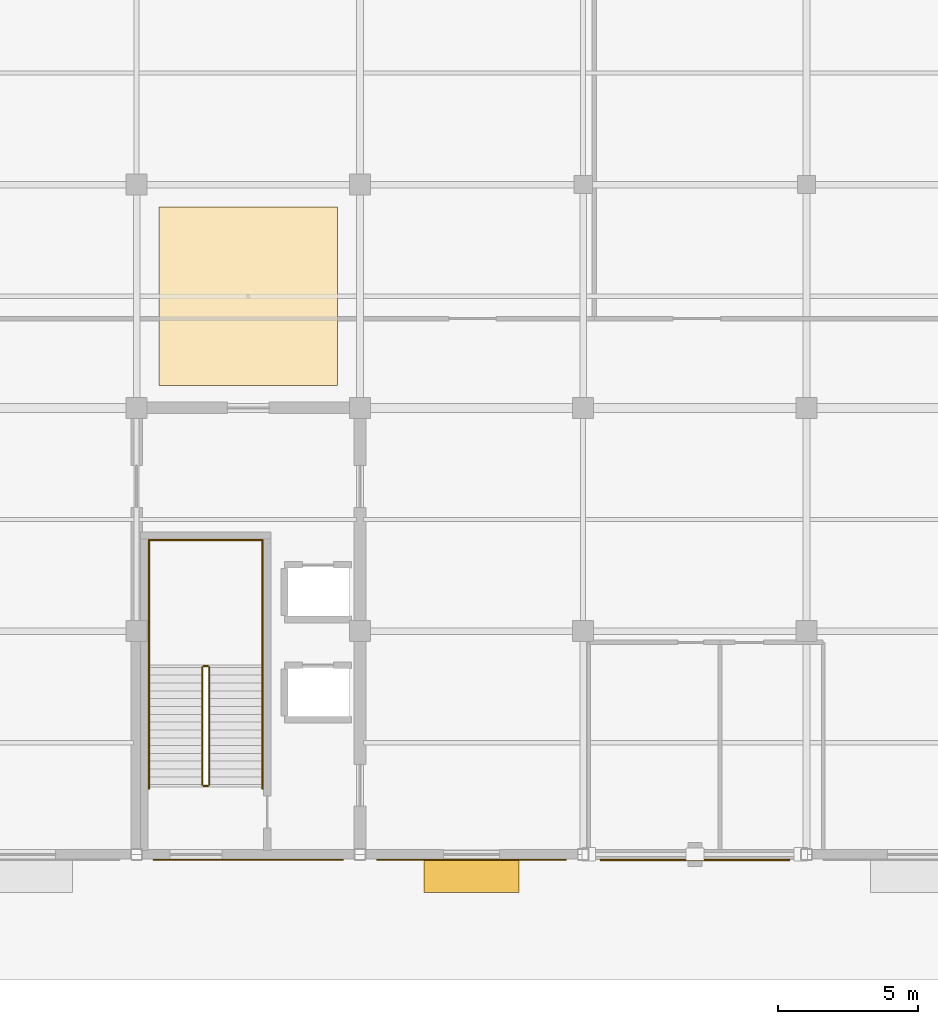
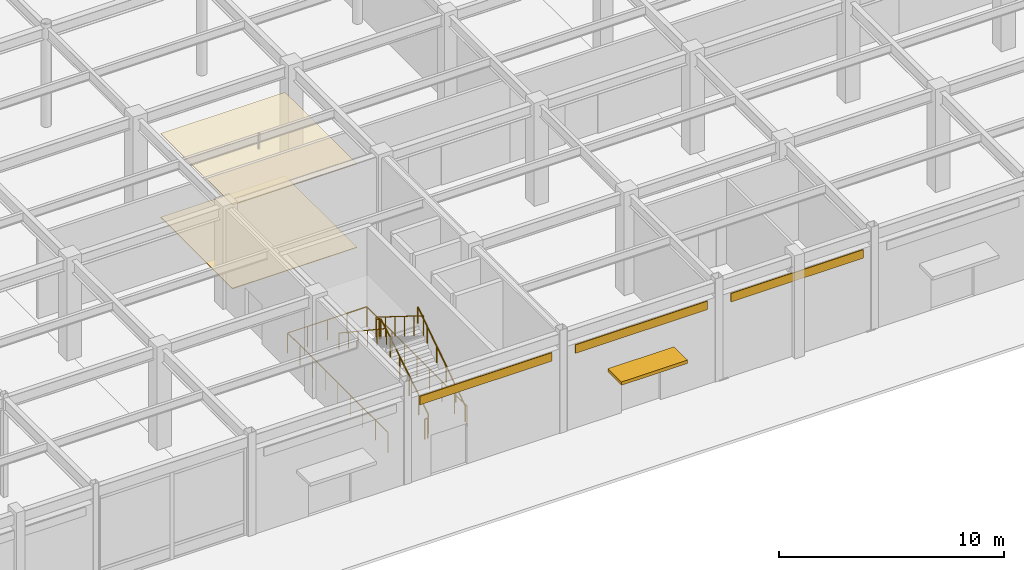
# One storey, part 119 of 128: 9 railings, 5 coverings, 1 shading device.
"""IFC4 building model written with IfcOpenShell, lengths in metres."""

from ifc_helpers import new_model, si_unit, direction, frame, origin, origin_2d, place, context, subcontext, project, spatial, polyline, rectangle, circle, outline, extrude, material, layer, layer_set, type_object, element, save


model = new_model("IFC4")

# Units and contexts
model_context = context("Model", 3, precision=1e-05, world=origin(), true_north=direction((0.0, 1.0)))
body_context = subcontext(model_context, "Body", "Model", "MODEL_VIEW")
ifc_project = project(units=[si_unit("LENGTHUNIT", "METRE"), si_unit("AREAUNIT", "SQUARE_METRE"), si_unit("VOLUMEUNIT", "CUBIC_METRE"), si_unit("PLANEANGLEUNIT", "RADIAN"), si_unit("MASSUNIT", "GRAM", prefix="KILO")], contexts=[model_context])

# Site, building, storey
site_placement = place(None, origin())
site = spatial("IfcSite", under=ifc_project, at=site_placement, CompositionType="ELEMENT")
building_placement = place(site_placement, origin())
building = spatial("IfcBuilding", under=site, at=building_placement, Name="Solmirada Galleria", CompositionType="ELEMENT")
storey_placement = place(building_placement, origin())
storey = spatial("IfcBuildingStorey", under=building, at=storey_placement, Name="L00", CompositionType="ELEMENT", Elevation=0.0)

# Coverings
ifc_material_1 = material(Name="Perforated acoustic mineral-fibre ceiling")
ifc_layer_1 = layer(ifc_material_1, 0.02490234375)
ifc_layer_set_1 = layer_set([ifc_layer_1], Name="Perforated acoustic mineral-fibre ceiling")
covering_type_1 = type_object("IfcCoveringType", Name="COV-CEIL-ACOUST", PredefinedType="CEILING", material=ifc_layer_set_1)
covering_1_placement = place(storey_placement, frame((0.0, 0.0, 4.550048828125)))
element("IfcCovering", 1, at=covering_1_placement, inside=storey, type_object=covering_type_1, Name="Acoustic ceiling panel L00-2", PredefinedType="CEILING", context=body_context, shape_type="SweptSolid", body=[
    extrude(outline(polyline([(88.800048828125, 16.800048828125), (95.199951171875, 16.800048828125), (95.199951171875, 23.199951171875), (88.800048828125, 23.199951171875), (88.800048828125, 16.800048828125)])), origin(), (0.0, 0.0, 1.0), 0.02490234375),
])
ifc_material_2 = material(Name="Limestone cladding panels", Category="masonry")
ifc_layer_2 = layer(ifc_material_2, 0.044921875)
ifc_layer_set_2 = layer_set([ifc_layer_2], Name="Limestone cladding panels")
covering_type_2 = type_object("IfcCoveringType", Name="COV-CLAD-LIME", PredefinedType="CLADDING", material=ifc_layer_set_2)
for number, where, z_axis, x_axis, name in (
    (2, (108.0, -0.202392578125, 4.090087890625), (0.0, 0.0, 1.0), (-1.0, 0.0, 0.0), "Postmodern facade cladding L00-040"),
    (3, (100.0, -0.1923828125, 4.090087890625), (0.0, 0.0, 1.0), (-1.0, 0.0, 0.0), "Postmodern facade cladding L00-041"),
    (4, (92.0, -0.1923828125, 4.090087890625), (0.0, 0.0, 1.0), (-1.0, 0.0, 0.0), "Postmodern facade cladding L00-042"),
):
    element("IfcCovering", number, at=place(storey_placement, frame(where, z_axis=z_axis, x_axis=x_axis)), inside=storey, type_object=covering_type_2, Name=name, PredefinedType="CLADDING", context=body_context, shape_type="SweptSolid", body=[
        extrude(rectangle(XDim=6.7939453125, YDim=0.044921875, at=origin_2d()), origin(), (0.0, 0.0, 1.0), 0.4599609375),
    ])
ifc_material_3 = material(Name="Polished terrazzo and porcelain tile flooring")
ifc_layer_3 = layer(ifc_material_3, 0.030029296875)
ifc_layer_set_3 = layer_set([ifc_layer_3], Name="Polished terrazzo and porcelain tile flooring")
covering_type_3 = type_object("IfcCoveringType", Name="COV-FLOOR-TERRAZ", PredefinedType="FLOORING", material=ifc_layer_set_3)
covering_2_placement = place(storey_placement, origin())
element("IfcCovering", 5, at=covering_2_placement, inside=storey, type_object=covering_type_3, Name="Terrazzo floor finish L00-2", PredefinedType="FLOORING", context=body_context, shape_type="SweptSolid", body=[
    extrude(outline(polyline([(88.800048828125, 16.800048828125), (95.199951171875, 16.800048828125), (95.199951171875, 23.199951171875), (88.800048828125, 23.199951171875), (88.800048828125, 16.800048828125)])), origin(), (0.0, 0.0, 1.0), 0.030029296875),
])

# Railings
ifc_material_4 = material(Name="Painted steel tubular railing", Category="steel")
railing_type_1 = type_object("IfcRailingType", Name="RAIL-STAIR-GUARD", PredefinedType="GUARDRAIL", material=ifc_material_4)
railing_1_placement = place(storey_placement, frame((90.60009765625, 2.5, 0.175048828125)))
element("IfcRailing", 6, at=railing_1_placement, inside=storey, type_object=railing_type_1, Name="L00 ST2 stair guard 1", PredefinedType="GUARDRAIL", context=body_context, shape_type="SweptSolid", body=[
    extrude(circle(Radius=0.02392578125, at=origin_2d()), frame((0.0, 0.0, 1.076171875), z_axis=(0.0, 0.847995534698, 0.530003370869), x_axis=(-1.0, 0.0, 0.0)), (0.0, 0.0, 1.0), 4.952880859375),
    extrude(circle(Radius=0.02099609375, at=origin_2d()), origin(), (0.0, 0.0, 1.0), 1.048095703125),
    extrude(circle(Radius=0.02099609375, at=origin_2d()), frame((0.0, 0.840087890625, 0.52490234375)), (0.0, 0.0, 1.0), 1.048095703125),
    extrude(circle(Radius=0.02099609375, at=origin_2d()), frame((0.0, 1.679931640625, 1.050048828125)), (0.0, 0.0, 1.0), 1.048095703125),
    extrude(circle(Radius=0.02099609375, at=origin_2d()), frame((0.0, 2.52001953125, 1.574951171875)), (0.0, 0.0, 1.0), 1.048095703125),
    extrude(circle(Radius=0.02099609375, at=origin_2d()), frame((0.0, 3.35986328125, 2.10009765625)), (0.0, 0.0, 1.0), 1.048095703125),
    extrude(circle(Radius=0.02099609375, at=origin_2d()), frame((0.0, 4.199951171875, 2.625)), (0.0, 0.0, 1.0), 1.048095703125),
])
railing_2_placement = place(storey_placement, frame((90.550048828125, 6.75, 2.800048828125)))
element("IfcRailing", 7, at=railing_2_placement, inside=storey, type_object=railing_type_1, Name="L00 ST2 stair guard 2", PredefinedType="GUARDRAIL", context=body_context, shape_type="SweptSolid", body=[
    extrude(circle(Radius=0.02392578125, at=origin_2d()), frame((0.0, 0.0, 1.076171875), z_axis=(-1.0, 0.0, 0.0), x_axis=(0.0, -1.0, 0.0)), (0.0, 0.0, 1.0), 0.150146484375),
    extrude(circle(Radius=0.02099609375, at=origin_2d()), origin(), (0.0, 0.0, 1.0), 1.048095703125),
    extrude(circle(Radius=0.02099609375, at=origin_2d()), frame((-0.150146484375, 0.0, 0.0)), (0.0, 0.0, 1.0), 1.048095703125),
])
railing_3_placement = place(storey_placement, frame((90.35009765625, 6.699951171875, 2.97509765625)))
element("IfcRailing", 8, at=railing_3_placement, inside=storey, type_object=railing_type_1, Name="L00 ST2 stair guard 3", PredefinedType="GUARDRAIL", context=body_context, shape_type="SweptSolid", body=[
    extrude(circle(Radius=0.02392578125, at=origin_2d()), frame((0.0, 0.0, 1.076171875), z_axis=(0.0, -0.847995534698, 0.530003370869), x_axis=(1.0, 0.0, 0.0)), (0.0, 0.0, 1.0), 4.952880859375),
    extrude(circle(Radius=0.02099609375, at=origin_2d()), origin(), (0.0, 0.0, 1.0), 1.048095703125),
    extrude(circle(Radius=0.02099609375, at=origin_2d()), frame((0.0, -0.840087890625, 0.52490234375)), (0.0, 0.0, 1.0), 1.048095703125),
    extrude(circle(Radius=0.02099609375, at=origin_2d()), frame((0.0, -1.679931640625, 1.050048828125)), (0.0, 0.0, 1.0), 1.048095703125),
    extrude(circle(Radius=0.02099609375, at=origin_2d()), frame((0.0, -2.52001953125, 1.574951171875)), (0.0, 0.0, 1.0), 1.048095703125),
    extrude(circle(Radius=0.02099609375, at=origin_2d()), frame((0.0, -3.35986328125, 2.10009765625)), (0.0, 0.0, 1.0), 1.048095703125),
    extrude(circle(Radius=0.02099609375, at=origin_2d()), frame((0.0, -4.199951171875, 2.625)), (0.0, 0.0, 1.0), 1.048095703125),
])
railing_4_placement = place(storey_placement, frame((90.550048828125, 2.449951171875, 0.0)))
element("IfcRailing", 9, at=railing_4_placement, inside=storey, type_object=railing_type_1, Name="L00 ST2 stair guard 4", PredefinedType="GUARDRAIL", context=body_context, shape_type="SweptSolid", body=[
    extrude(circle(Radius=0.02392578125, at=origin_2d()), frame((0.0, 0.0, 1.076171875), z_axis=(-1.0, 0.0, 0.0), x_axis=(0.0, -1.0, 0.0)), (0.0, 0.0, 1.0), 0.150146484375),
    extrude(circle(Radius=0.02099609375, at=origin_2d()), origin(), (0.0, 0.0, 1.0), 1.048095703125),
    extrude(circle(Radius=0.02099609375, at=origin_2d()), frame((-0.150146484375, 0.0, 0.0)), (0.0, 0.0, 1.0), 1.048095703125),
])
railing_5_placement = place(storey_placement, frame((88.43994140625, 2.35009765625, 0.0)))
element("IfcRailing", 10, at=railing_5_placement, inside=storey, type_object=railing_type_1, Name="Stair ST2 well edge guard L00-1", PredefinedType="GUARDRAIL", context=body_context, shape_type="SweptSolid", body=[
    extrude(circle(Radius=0.02392578125, at=origin_2d()), frame((0.0, 0.0, 1.09619140625), z_axis=(0.0, 1.0, 0.0), x_axis=(-1.0, 0.0, 0.0)), (0.0, 0.0, 1.0), 8.909912109375),
    extrude(circle(Radius=0.02099609375, at=origin_2d()), origin(), (0.0, 0.0, 1.0), 1.068115234375),
    extrude(circle(Radius=0.02099609375, at=origin_2d()), frame((0.0, 1.11376953125, 0.0)), (0.0, 0.0, 1.0), 1.068115234375),
    extrude(circle(Radius=0.02099609375, at=origin_2d()), frame((0.0, 2.2275390625, 0.0)), (0.0, 0.0, 1.0), 1.068115234375),
    extrude(circle(Radius=0.02099609375, at=origin_2d()), frame((0.0, 3.34130859375, 0.0)), (0.0, 0.0, 1.0), 1.068115234375),
    extrude(circle(Radius=0.02099609375, at=origin_2d()), frame((0.0, 4.455078125, 0.0)), (0.0, 0.0, 1.0), 1.068115234375),
    extrude(circle(Radius=0.02099609375, at=origin_2d()), frame((0.0, 5.568603515625, 0.0)), (0.0, 0.0, 1.0), 1.068115234375),
    extrude(circle(Radius=0.02099609375, at=origin_2d()), frame((0.0, 6.682373046875, 0.0)), (0.0, 0.0, 1.0), 1.068115234375),
    extrude(circle(Radius=0.02099609375, at=origin_2d()), frame((0.0, 7.796142578125, 0.0)), (0.0, 0.0, 1.0), 1.068115234375),
    extrude(circle(Radius=0.02099609375, at=origin_2d()), frame((0.0, 8.909912109375, 0.0)), (0.0, 0.0, 1.0), 1.068115234375),
])
railing_6_placement = place(storey_placement, frame((88.43994140625, 11.260009765625, 0.0)))
element("IfcRailing", 11, at=railing_6_placement, inside=storey, type_object=railing_type_1, Name="Stair ST2 well edge guard L00-2", PredefinedType="GUARDRAIL", context=body_context, shape_type="SweptSolid", body=[
    extrude(circle(Radius=0.02392578125, at=origin_2d()), frame((0.0, 0.0, 1.09619140625), z_axis=(1.0, 0.0, 0.0), x_axis=(0.0, 1.0, 0.0)), (0.0, 0.0, 1.0), 4.070068359375),
    extrude(circle(Radius=0.02099609375, at=origin_2d()), origin(), (0.0, 0.0, 1.0), 1.068115234375),
    extrude(circle(Radius=0.02099609375, at=origin_2d()), frame((1.017578125, 0.0, 0.0)), (0.0, 0.0, 1.0), 1.068115234375),
    extrude(circle(Radius=0.02099609375, at=origin_2d()), frame((2.03515625, 0.0, 0.0)), (0.0, 0.0, 1.0), 1.068115234375),
    extrude(circle(Radius=0.02099609375, at=origin_2d()), frame((3.052490234375, 0.0, 0.0)), (0.0, 0.0, 1.0), 1.068115234375),
    extrude(circle(Radius=0.02099609375, at=origin_2d()), frame((4.070068359375, 0.0, 0.0)), (0.0, 0.0, 1.0), 1.068115234375),
])
railing_7_placement = place(storey_placement, frame((92.510009765625, 11.260009765625, 0.0)))
element("IfcRailing", 12, at=railing_7_placement, inside=storey, type_object=railing_type_1, Name="Stair ST2 well edge guard L00-3", PredefinedType="GUARDRAIL", context=body_context, shape_type="SweptSolid", body=[
    extrude(circle(Radius=0.02392578125, at=origin_2d()), frame((0.0, 0.0, 1.09619140625), z_axis=(0.0, -1.0, 0.0), x_axis=(1.0, 0.0, 0.0)), (0.0, 0.0, 1.0), 8.909912109375),
    extrude(circle(Radius=0.02099609375, at=origin_2d()), origin(), (0.0, 0.0, 1.0), 1.068115234375),
    extrude(circle(Radius=0.02099609375, at=origin_2d()), frame((0.0, -1.11376953125, 0.0)), (0.0, 0.0, 1.0), 1.068115234375),
    extrude(circle(Radius=0.02099609375, at=origin_2d()), frame((0.0, -2.2275390625, 0.0)), (0.0, 0.0, 1.0), 1.068115234375),
    extrude(circle(Radius=0.02099609375, at=origin_2d()), frame((0.0, -3.34130859375, 0.0)), (0.0, 0.0, 1.0), 1.068115234375),
    extrude(circle(Radius=0.02099609375, at=origin_2d()), frame((0.0, -4.455078125, 0.0)), (0.0, 0.0, 1.0), 1.068115234375),
    extrude(circle(Radius=0.02099609375, at=origin_2d()), frame((0.0, -5.568603515625, 0.0)), (0.0, 0.0, 1.0), 1.068115234375),
    extrude(circle(Radius=0.02099609375, at=origin_2d()), frame((0.0, -6.682373046875, 0.0)), (0.0, 0.0, 1.0), 1.068115234375),
    extrude(circle(Radius=0.02099609375, at=origin_2d()), frame((0.0, -7.796142578125, 0.0)), (0.0, 0.0, 1.0), 1.068115234375),
    extrude(circle(Radius=0.02099609375, at=origin_2d()), frame((0.0, -8.909912109375, 0.0)), (0.0, 0.0, 1.0), 1.068115234375),
])
railing_type_2 = type_object("IfcRailingType", Name="RAIL-STAIR-HAND", PredefinedType="HANDRAIL", material=ifc_material_4)
railing_8_placement = place(storey_placement, frame((92.5, 2.5, 0.175048828125)))
element("IfcRailing", 13, at=railing_8_placement, inside=storey, type_object=railing_type_2, Name="L00 ST2 stair handrail 1", PredefinedType="HANDRAIL", context=body_context, shape_type="SweptSolid", body=[
    extrude(circle(Radius=0.02392578125, at=origin_2d()), frame((0.0, 0.0, 0.8759765625), z_axis=(0.0, 0.832042853317, 0.554711357594), x_axis=(-1.0, 0.0, 0.0)), (0.0, 0.0, 1.0), 5.0478515625),
    extrude(circle(Radius=0.02099609375, at=origin_2d()), origin(), (0.0, 0.0, 1.0), 0.847900390625),
    extrude(circle(Radius=0.02099609375, at=origin_2d()), frame((0.0, 0.840087890625, 0.56005859375)), (0.0, 0.0, 1.0), 0.847900390625),
    extrude(circle(Radius=0.02099609375, at=origin_2d()), frame((0.0, 1.679931640625, 1.1201171875)), (0.0, 0.0, 1.0), 0.847900390625),
    extrude(circle(Radius=0.02099609375, at=origin_2d()), frame((0.0, 2.52001953125, 1.679931640625)), (0.0, 0.0, 1.0), 0.847900390625),
    extrude(circle(Radius=0.02099609375, at=origin_2d()), frame((0.0, 3.35986328125, 2.239990234375)), (0.0, 0.0, 1.0), 0.847900390625),
    extrude(circle(Radius=0.02099609375, at=origin_2d()), frame((0.0, 4.199951171875, 2.800048828125)), (0.0, 0.0, 1.0), 0.847900390625),
])
railing_9_placement = place(storey_placement, frame((88.449951171875, 6.699951171875, 2.97509765625)))
element("IfcRailing", 14, at=railing_9_placement, inside=storey, type_object=railing_type_2, Name="L00 ST2 stair handrail 2", PredefinedType="HANDRAIL", context=body_context, shape_type="SweptSolid", body=[
    extrude(circle(Radius=0.02392578125, at=origin_2d()), frame((0.0, 0.0, 0.8759765625), z_axis=(0.0, -0.83206517633, 0.554677872589), x_axis=(1.0, 0.0, 0.0)), (0.0, 0.0, 1.0), 5.047607421875),
    extrude(circle(Radius=0.02099609375, at=origin_2d()), origin(), (0.0, 0.0, 1.0), 0.847900390625),
    extrude(circle(Radius=0.02099609375, at=origin_2d()), frame((0.0, -0.840087890625, 0.56005859375)), (0.0, 0.0, 1.0), 0.847900390625),
    extrude(circle(Radius=0.02099609375, at=origin_2d()), frame((0.0, -1.679931640625, 1.119873046875)), (0.0, 0.0, 1.0), 0.847900390625),
    extrude(circle(Radius=0.02099609375, at=origin_2d()), frame((0.0, -2.52001953125, 1.679931640625)), (0.0, 0.0, 1.0), 0.847900390625),
    extrude(circle(Radius=0.02099609375, at=origin_2d()), frame((0.0, -3.35986328125, 2.23974609375)), (0.0, 0.0, 1.0), 0.847900390625),
    extrude(circle(Radius=0.02099609375, at=origin_2d()), frame((0.0, -4.199951171875, 2.7998046875)), (0.0, 0.0, 1.0), 0.847900390625),
])

# Shading device
ifc_material_5 = material(Name="Extruded aluminium storm louvres", Category="aluminium")
shading_device_type = type_object("IfcShadingDeviceType", Name="SHD-AWNING", PredefinedType="AWNING", material=ifc_material_5)
shading_device_placement = place(storey_placement, frame((100.0, -0.77001953125, 2.4599609375), z_axis=(0.0, 0.0, 1.0), x_axis=(-1.0, 0.0, 0.0)))
element("IfcShadingDevice", 15, at=shading_device_placement, inside=storey, type_object=shading_device_type, Name="Storm entrance awning canopy 026", PredefinedType="AWNING", context=body_context, shape_type="SweptSolid", body=[
    extrude(rectangle(XDim=3.39990234375, YDim=1.199951171875, at=origin_2d()), origin(), (0.0, 0.0, 1.0), 0.179931640625),
])

save(model, "model.ifc")
